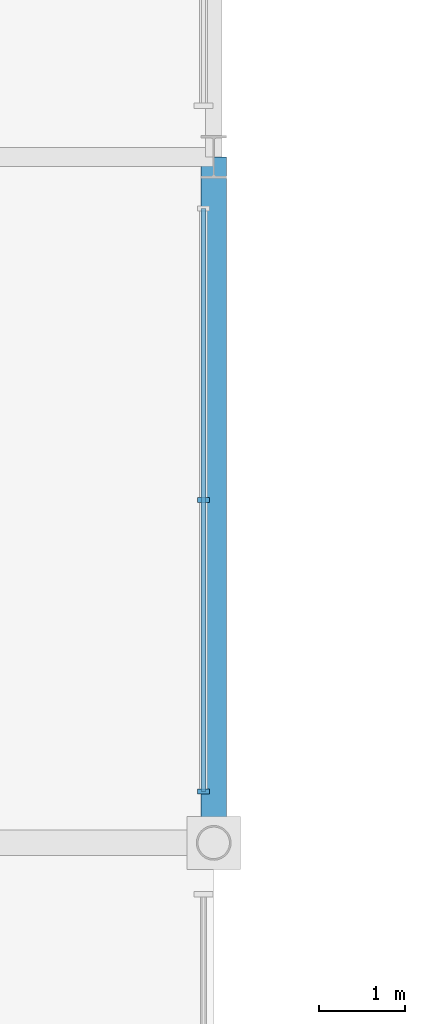
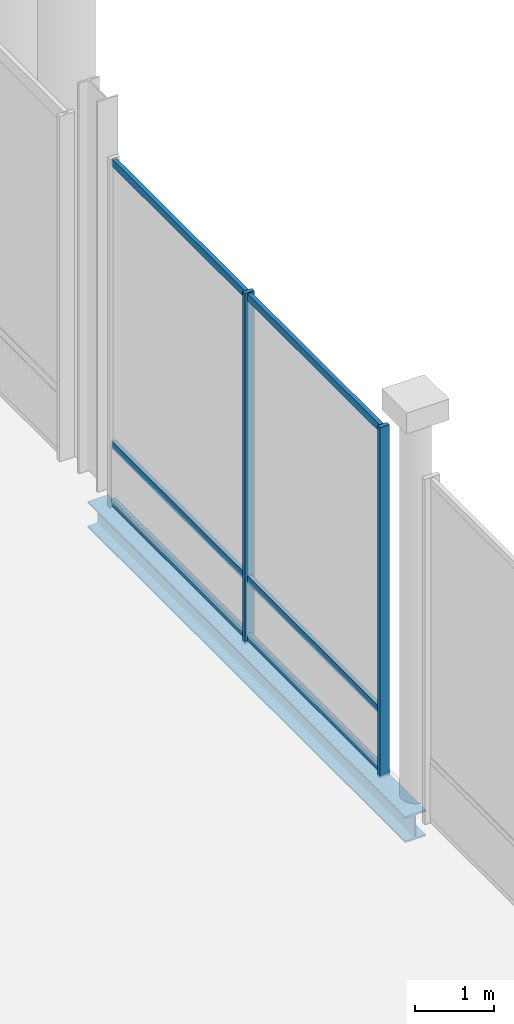
# One storey, part 47 of 124: 5 members, 1 beam, 1 element without a shape of its own.
"""IFC4 building model written with IfcOpenShell, lengths in metres."""

from ifc_helpers import new_model, si_unit, direction, frame, origin, origin_2d, place, context, subcontext, project, spatial, rectangle, i_section, extrude, material, material_profile, profile_set, type_object, element, aggregate, save


model = new_model("IFC4")

# Units and contexts
model_context = context("Model", 3, precision=1e-05, world=origin(), true_north=direction((0.0, 1.0)))
body_context = subcontext(model_context, "Body", "Model", "MODEL_VIEW")
ifc_project = project(units=[si_unit("LENGTHUNIT", "METRE"), si_unit("AREAUNIT", "SQUARE_METRE"), si_unit("VOLUMEUNIT", "CUBIC_METRE"), si_unit("PLANEANGLEUNIT", "RADIAN"), si_unit("MASSUNIT", "GRAM", prefix="KILO")], contexts=[model_context])

# Site, building, storey
site_placement = place(None, origin())
site = spatial("IfcSite", under=ifc_project, at=site_placement, CompositionType="ELEMENT")
building_placement = place(site_placement, origin())
building = spatial("IfcBuilding", under=site, at=building_placement, Name="Danafjord Basin Convention Centre", CompositionType="ELEMENT")
storey_placement = place(building_placement, origin())
storey = spatial("IfcBuildingStorey", under=building, at=storey_placement, Name="L00", CompositionType="ELEMENT", Elevation=0.0)

# Beam
ifc_material_1 = material(Name="Steel S355", Category="steel")
ifc_material_profile_1 = material_profile(ifc_material_1, i_section(OverallWidth=0.300048828125, OverallDepth=0.39990234375, WebThickness=0.013427734375, FlangeThickness=0.02392578125, FilletRadius=0.027099609375, at=origin_2d()), Name="HEB 400")
ifc_profile_set_1 = profile_set([ifc_material_profile_1], Name="Steel S355")
beam_type = type_object("IfcBeamType", Name="BEAM-SP-HEB400", PredefinedType="SPANDREL", material=ifc_profile_set_1)
beam_placement = place(storey_placement, frame((124.800048828125, 56.0, -0.489990234375), z_axis=(0.0, 1.0, 0.0), x_axis=(-1.0, 0.0, 0.0)))
element("IfcBeam", 1, at=beam_placement, inside=storey, type_object=beam_type, Name="L00 transverse girder SP-HEB400", PredefinedType="SPANDREL", context=body_context, shape_type="SweptSolid", body=[
    extrude(i_section(OverallWidth=0.300048828125, OverallDepth=0.39990234375, WebThickness=0.013427734375, FlangeThickness=0.02392578125, FilletRadius=0.027099609375, at=origin_2d()), origin(), (0.0, 0.0, 1.0), 8.0),
])

# Curtain wall, members
ifc_material_2 = material(Name="Anodised aluminium and triple glazing", Category="aluminium")
curtain_wall_type = type_object("IfcCurtainWallType", Name="CW-CW-BRIDGE", PredefinedType="NOTDEFINED", material=ifc_material_2)
curtain_wall_placement = place(storey_placement, origin())
curtain_wall = element("IfcCurtainWall", 2, at=curtain_wall_placement, inside=storey, type_object=curtain_wall_type, Name="L00 CW-BRIDGE unitised curtain wall bay 165", PredefinedType="NOTDEFINED")
ifc_material_3 = material(Name="Anodised aluminium EN AW-6060", Category="aluminium")
ifc_material_profile_2 = material_profile(ifc_material_3, rectangle(XDim=0.06005859375, YDim=0.139892578125, at=origin_2d()), Name="MULL 60x140")
ifc_profile_set_2 = profile_set([ifc_material_profile_2], Name="Anodised aluminium EN AW-6060")
member_type_1 = type_object("IfcMemberType", Name="MEM-ML-140", PredefinedType="MULLION", material=ifc_profile_set_2)
member_1_placement = place(storey_placement, frame((124.679931640625, 56.60009765625, -0.02490234375), z_axis=(0.0, 0.0, 1.0), x_axis=(0.0, 1.0, 0.0)))
member_1 = element("IfcMember", 3, at=member_1_placement, type_object=member_type_1, Name="CW-L00-165 mullion 1", PredefinedType="MULLION", context=body_context, shape_type="SweptSolid", body=[
    extrude(rectangle(XDim=0.06005859375, YDim=0.139892578125, at=origin_2d()), origin(), (0.0, 0.0, 1.0), 5.385009765625),
])
member_2_placement = place(storey_placement, frame((124.679931640625, 60.0, -0.02490234375), z_axis=(0.0, 0.0, 1.0), x_axis=(0.0, 1.0, 0.0)))
member_2 = element("IfcMember", 4, at=member_2_placement, type_object=member_type_1, Name="CW-L00-165 mullion 2", PredefinedType="MULLION", context=body_context, shape_type="SweptSolid", body=[
    extrude(rectangle(XDim=0.06005859375, YDim=0.139892578125, at=origin_2d()), origin(), (0.0, 0.0, 1.0), 5.385009765625),
])
ifc_material_profile_3 = material_profile(ifc_material_3, rectangle(XDim=0.06005859375, YDim=0.110107421875, at=origin_2d()), Name="TRAN 60x110")
ifc_profile_set_3 = profile_set([ifc_material_profile_3], Name="Anodised aluminium EN AW-6060")
member_type_2 = type_object("IfcMemberType", Name="MEM-TR-110", PredefinedType="USERDEFINED", material=ifc_profile_set_3)
member_3_placement = place(storey_placement, frame((124.679931640625, 56.60009765625, 0.06005859375), z_axis=(0.0, 1.0, 0.0), x_axis=(-1.0, 0.0, 0.0)))
member_3 = element("IfcMember", 5, at=member_3_placement, type_object=member_type_2, Name="CW-L00-165 transom 1", ObjectType="TRANSOM", PredefinedType="USERDEFINED", context=body_context, shape_type="SweptSolid", body=[
    extrude(rectangle(XDim=0.06005859375, YDim=0.110107421875, at=origin_2d()), origin(), (0.0, 0.0, 1.0), 6.7998046875),
])
member_4_placement = place(storey_placement, frame((124.679931640625, 56.60009765625, 0.949951171875), z_axis=(0.0, 1.0, 0.0), x_axis=(-1.0, 0.0, 0.0)))
member_4 = element("IfcMember", 6, at=member_4_placement, type_object=member_type_2, Name="CW-L00-165 transom 2", ObjectType="TRANSOM", PredefinedType="USERDEFINED", context=body_context, shape_type="SweptSolid", body=[
    extrude(rectangle(XDim=0.06005859375, YDim=0.110107421875, at=origin_2d()), origin(), (0.0, 0.0, 1.0), 6.7998046875),
])
member_5_placement = place(storey_placement, frame((124.679931640625, 56.60009765625, 5.2900390625), z_axis=(0.0, 1.0, 0.0), x_axis=(-1.0, 0.0, 0.0)))
member_5 = element("IfcMember", 7, at=member_5_placement, type_object=member_type_2, Name="CW-L00-165 transom 3", ObjectType="TRANSOM", PredefinedType="USERDEFINED", context=body_context, shape_type="SweptSolid", body=[
    extrude(rectangle(XDim=0.06005859375, YDim=0.110107421875, at=origin_2d()), origin(), (0.0, 0.0, 1.0), 6.7998046875),
])
aggregate(curtain_wall, [member_1, member_2, member_3, member_4, member_5])

save(model, "model.ifc")
